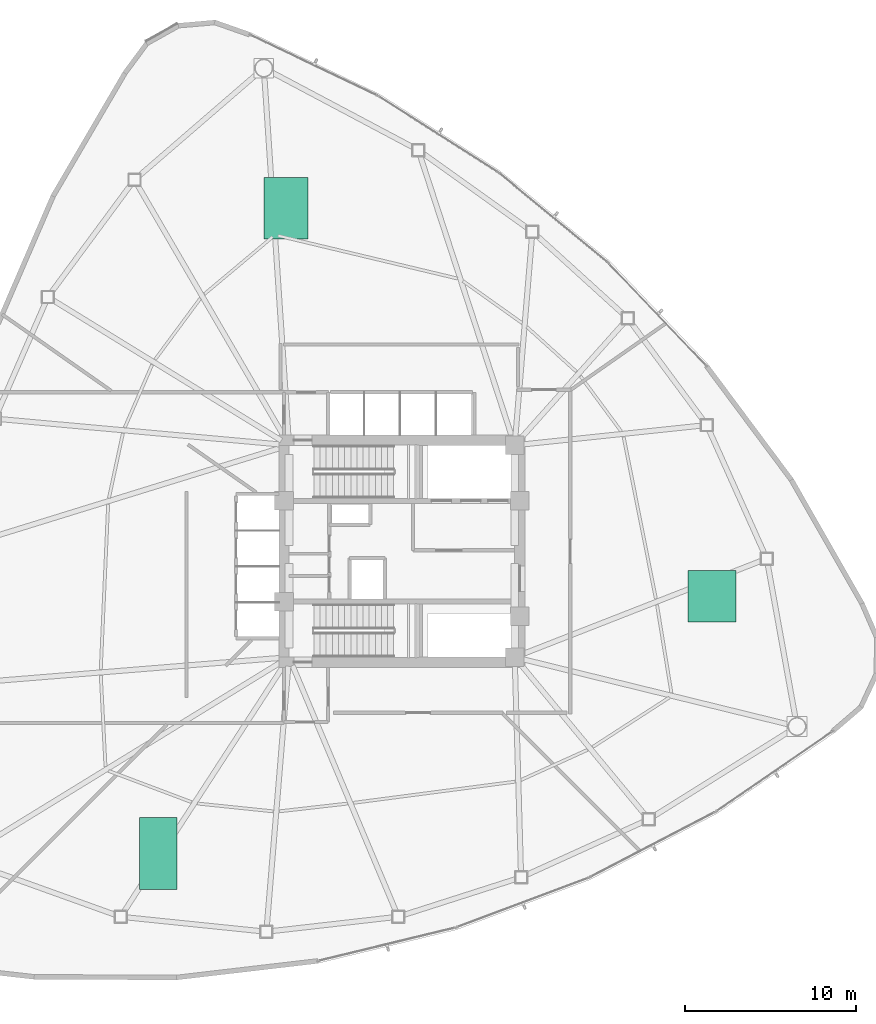
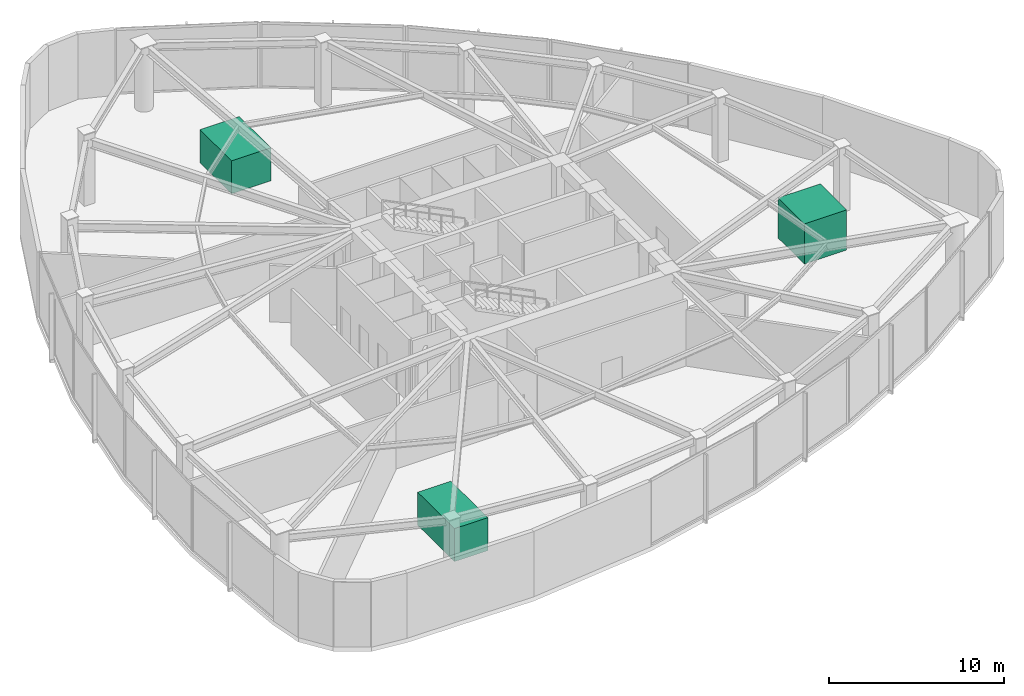
# One storey, part 16 of 16: 1 chiller, 1 cooling tower, 1 tank.
"""IFC4 building model written with IfcOpenShell, lengths in metres."""

from ifc_helpers import new_model, si_unit, direction, frame, origin, origin_2d, place, context, subcontext, project, spatial, rectangle, extrude, material, type_object, element, save


model = new_model("IFC4")

# Units and contexts
model_context = context("Model", 3, precision=1e-05, world=origin(), true_north=direction((0.0, 1.0)))
body_context = subcontext(model_context, "Body", "Model", "MODEL_VIEW")
ifc_project = project(units=[si_unit("LENGTHUNIT", "METRE"), si_unit("AREAUNIT", "SQUARE_METRE"), si_unit("VOLUMEUNIT", "CUBIC_METRE"), si_unit("PLANEANGLEUNIT", "RADIAN"), si_unit("MASSUNIT", "GRAM", prefix="KILO")], contexts=[model_context])

# Site, building, storey
site_placement = place(None, origin())
site = spatial("IfcSite", under=ifc_project, at=site_placement, CompositionType="ELEMENT")
building_placement = place(site_placement, origin())
building = spatial("IfcBuilding", under=site, at=building_placement, Name="Tavelor Broadcast Tower", CompositionType="ELEMENT")
storey_placement = place(building_placement, frame((0.0, 0.0, 97.800048828125)))
storey = spatial("IfcBuildingStorey", under=building, at=storey_placement, Name="L23", CompositionType="ELEMENT", Elevation=97.800048828125)

# Chiller
ifc_material = material(Name="Steel S355", Category="steel")
chiller_type = type_object("IfcChillerType", Name="Centrifugal Water-Cooled Chiller Package 2500 kW", PredefinedType="WATERCOOLED", material=ifc_material)
chiller_placement = place(storey_placement, frame((35.73974609375, 27.309814453125, 0.0), z_axis=(0.0, 0.0, 1.0), x_axis=(1.0, 0.0, 0.0)))
element("IfcChiller", 1, at=chiller_placement, inside=storey, type_object=chiller_type, Name="L23 Centrifugal Water-Cooled Chiller #5", PredefinedType="WATERCOOLED", context=body_context, shape_type="SweptSolid", body=[
    extrude(rectangle(XDim=2.199951171875, YDim=4.199951171875, at=origin_2d()), origin(), (0.0, 0.0, 1.0), 2.300048828125),
])

# Cooling tower
cooling_tower_type = type_object("IfcCoolingTowerType", Name="Induced-Draught Acoustic Cooling Tower Cell", PredefinedType="MECHANICALINDUCEDDRAFT", material=ifc_material)
cooling_tower_placement = place(storey_placement, frame((68.139404296875, 42.37109375, 0.0), z_axis=(0.0, 0.0, 1.0), x_axis=(1.0, 0.0, 0.0)))
element("IfcCoolingTower", 2, at=cooling_tower_placement, inside=storey, type_object=cooling_tower_type, Name="L23 Induced-Draught Acoustic Cooling Tower #6", PredefinedType="MECHANICALINDUCEDDRAFT", context=body_context, shape_type="SweptSolid", body=[
    extrude(rectangle(XDim=2.800048828125, YDim=3.0, at=origin_2d()), origin(), (0.0, 0.0, 1.0), 2.800048828125),
])

# Tank
tank_type = type_object("IfcTankType", Name="Sectional Stainless Steel Fire and Domestic Water Tank", PredefinedType="STORAGE", material=ifc_material)
tank_placement = place(storey_placement, frame((43.220947265625, 65.06884765625, 0.0), z_axis=(0.0, 0.0, 1.0), x_axis=(1.0, 0.0, 0.0)))
element("IfcTank", 3, at=tank_placement, inside=storey, type_object=tank_type, Name="L23 Sectional Stainless Water Tank #4", PredefinedType="STORAGE", context=body_context, shape_type="SweptSolid", body=[
    extrude(rectangle(XDim=2.60009765625, YDim=3.60009765625, at=origin_2d()), origin(), (0.0, 0.0, 1.0), 2.300048828125),
])

save(model, "model.ifc")
